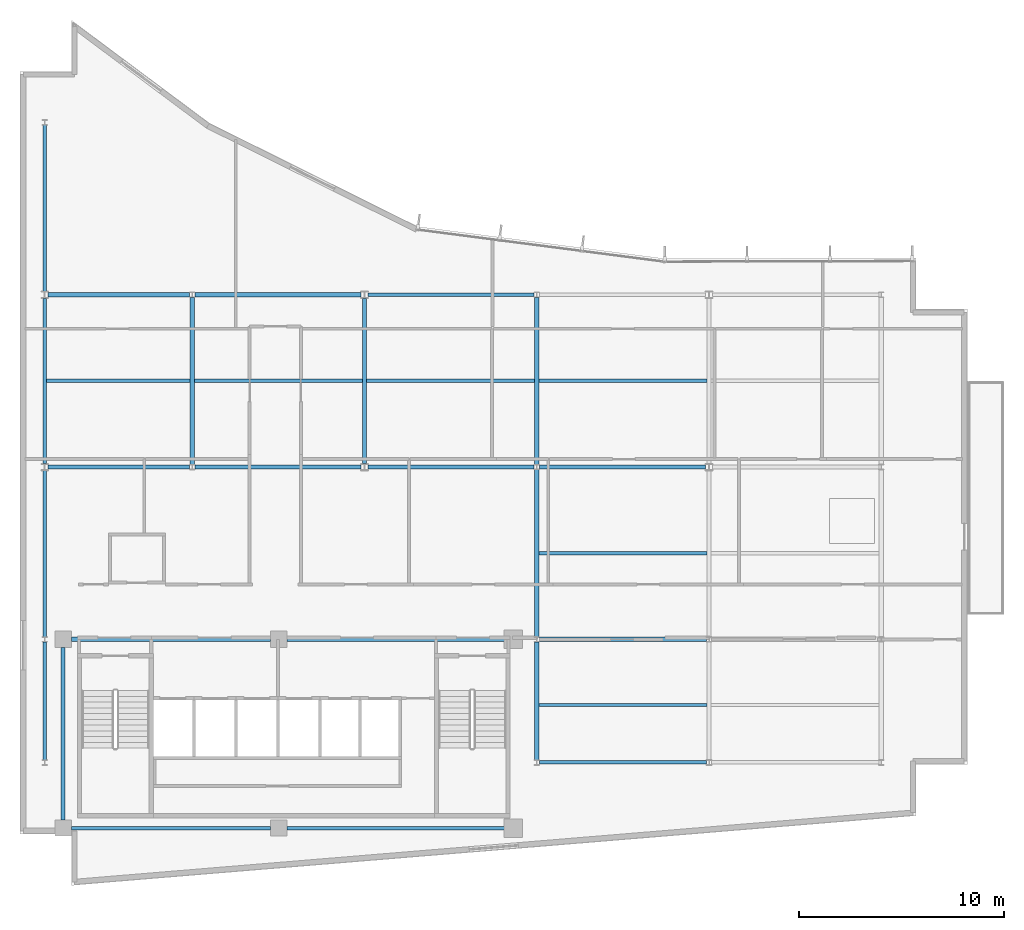
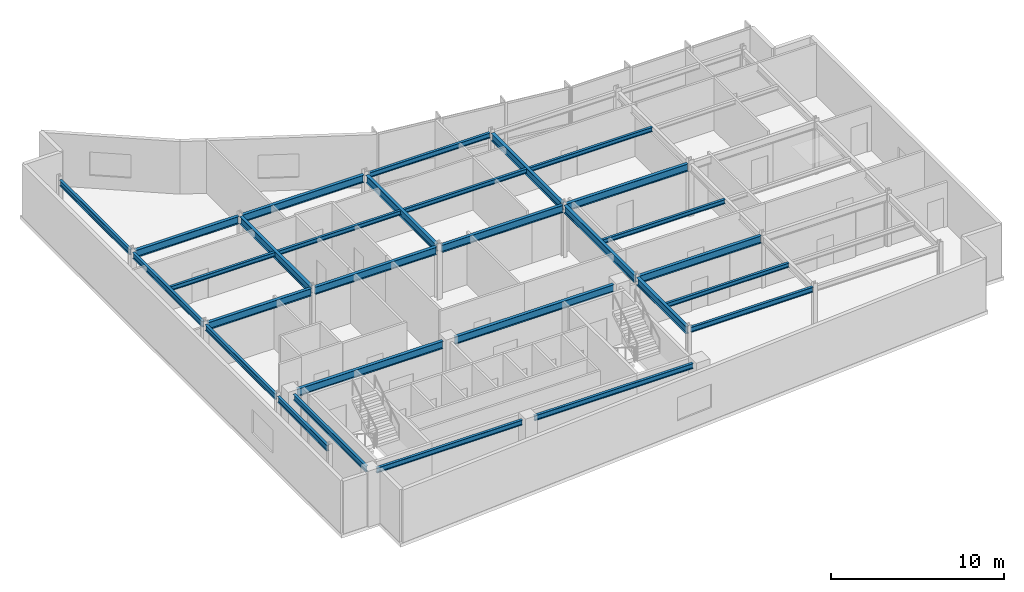
# One storey, part 5 of 15: 29 beams.
"""IFC4 building model written with IfcOpenShell, lengths in metres."""

from ifc_helpers import new_model, si_unit, direction, frame, origin, origin_2d, place, context, subcontext, project, spatial, i_section, extrude, material, material_profile, profile_set, type_object, element, save


model = new_model("IFC4")

# Units and contexts
model_context = context("Model", 3, precision=1e-05, world=origin(), true_north=direction((0.0, 1.0)))
body_context = subcontext(model_context, "Body", "Model", "MODEL_VIEW")
ifc_project = project(units=[si_unit("LENGTHUNIT", "METRE"), si_unit("AREAUNIT", "SQUARE_METRE"), si_unit("VOLUMEUNIT", "CUBIC_METRE"), si_unit("PLANEANGLEUNIT", "RADIAN"), si_unit("MASSUNIT", "GRAM", prefix="KILO")], contexts=[model_context])

# Site, building, storey
site_placement = place(None, origin())
site = spatial("IfcSite", under=ifc_project, at=site_placement, CompositionType="ELEMENT")
building_placement = place(site_placement, origin())
building = spatial("IfcBuilding", under=site, at=building_placement, Name="Varnakote Quay Hospital", CompositionType="ELEMENT")
storey_placement = place(building_placement, frame((0.0, 0.0, 248.64990234375)))
storey = spatial("IfcBuildingStorey", under=building, at=storey_placement, Name="L61", CompositionType="ELEMENT", Elevation=248.64990234375)

# Beams
ifc_material_1 = material(Name="Structural steel AS/NZS 3679.1 Grade 350 L0 (fy 340 MPa)", Category="steel")
ifc_material_profile_1 = material_profile(ifc_material_1, i_section(OverallWidth=0.208984375, OverallDepth=0.528076171875, WebThickness=0.009521484375, FlangeThickness=0.01318359375, FilletRadius=0.013916015625, at=origin_2d()), Name="530UB82.0")
ifc_profile_set_1 = profile_set([ifc_material_profile_1], Name="Structural steel AS/NZS 3679.1 Grade 350 L0 (fy 340 MPa)")
beam_type_1 = type_object("IfcBeamType", Name="BM-STL-530UB82-0", PredefinedType="BEAM", material=ifc_profile_set_1)
beam_1_placement = place(storey_placement, frame((2.5, 12.0, 3.446044921875), z_axis=(1.0, 0.0, 0.0), x_axis=(0.0, 1.0, 0.0)))
element("IfcBeam", 1, at=beam_1_placement, inside=storey, type_object=beam_type_1, Name="L61 Primary Floor Beam", PredefinedType="BEAM", context=body_context, shape_type="SweptSolid", body=[
    extrude(i_section(OverallWidth=0.208984375, OverallDepth=0.528076171875, WebThickness=0.009521484375, FlangeThickness=0.01318359375, FilletRadius=0.013916015625, at=origin_2d()), origin(), (0.0, 0.0, 1.0), 9.719970703125),
])
beam_2_placement = place(storey_placement, frame((13.02001953125, 12.0, 3.446044921875), z_axis=(1.0, 0.0, 0.0), x_axis=(0.0, 1.0, 0.0)))
element("IfcBeam", 2, at=beam_2_placement, inside=storey, type_object=beam_type_1, Name="L61 Primary Floor Beam", PredefinedType="BEAM", context=body_context, shape_type="SweptSolid", body=[
    extrude(i_section(OverallWidth=0.208984375, OverallDepth=0.528076171875, WebThickness=0.009521484375, FlangeThickness=0.01318359375, FilletRadius=0.013916015625, at=origin_2d()), origin(), (0.0, 0.0, 1.0), 10.6298828125),
])
beam_3_placement = place(storey_placement, frame((25.326904296875, 12.0, 3.446044921875), z_axis=(1.0, 0.0, 0.0), x_axis=(0.0, 1.0, 0.0)))
element("IfcBeam", 3, at=beam_3_placement, inside=storey, type_object=beam_type_1, Name="L61 Primary Floor Beam", PredefinedType="BEAM", context=body_context, shape_type="SweptSolid", body=[
    extrude(i_section(OverallWidth=0.208984375, OverallDepth=0.528076171875, WebThickness=0.009521484375, FlangeThickness=0.01318359375, FilletRadius=0.013916015625, at=origin_2d()), origin(), (0.0, 0.0, 1.0), 8.14599609375),
])
beam_4_placement = place(storey_placement, frame((1.375, 20.39990234375, 3.446044921875), z_axis=(1.0, 0.0, 0.0), x_axis=(0.0, 1.0, 0.0)))
element("IfcBeam", 4, at=beam_4_placement, inside=storey, type_object=beam_type_1, Name="L61 Primary Floor Beam", PredefinedType="BEAM", context=body_context, shape_type="SweptSolid", body=[
    extrude(i_section(OverallWidth=0.208984375, OverallDepth=0.528076171875, WebThickness=0.009521484375, FlangeThickness=0.01318359375, FilletRadius=0.013916015625, at=origin_2d()), origin(), (0.0, 0.0, 1.0), 6.89794921875),
])
for number, where, z_axis, x_axis, name in (
    (5, (8.527099609375, 20.39990234375, 3.446044921875), (1.0, 0.0, 0.0), (0.0, 1.0, 0.0), "L61 Primary Floor Beam"),
    (6, (16.97509765625, 20.39990234375, 3.446044921875), (1.0, 0.0, 0.0), (0.0, 1.0, 0.0), "L61 Primary Floor Beam"),
):
    element("IfcBeam", number, at=place(storey_placement, frame(where, z_axis=z_axis, x_axis=x_axis)), inside=storey, type_object=beam_type_1, Name=name, PredefinedType="BEAM", context=body_context, shape_type="SweptSolid", body=[
        extrude(i_section(OverallWidth=0.208984375, OverallDepth=0.528076171875, WebThickness=0.009521484375, FlangeThickness=0.01318359375, FilletRadius=0.013916015625, at=origin_2d()), origin(), (0.0, 0.0, 1.0), 8.097900390625),
    ])
beam_5_placement = place(storey_placement, frame((25.326904296875, 20.39990234375, 3.446044921875), z_axis=(1.0, 0.0, 0.0), x_axis=(0.0, 1.0, 0.0)))
element("IfcBeam", 7, at=beam_5_placement, inside=storey, type_object=beam_type_1, Name="L61 Primary Floor Beam", PredefinedType="BEAM", context=body_context, shape_type="SweptSolid", body=[
    extrude(i_section(OverallWidth=0.208984375, OverallDepth=0.528076171875, WebThickness=0.009521484375, FlangeThickness=0.01318359375, FilletRadius=0.013916015625, at=origin_2d()), origin(), (0.0, 0.0, 1.0), 8.09814453125),
])
beam_6_placement = place(storey_placement, frame((1.375, 28.800048828125, 3.446044921875), z_axis=(1.0, 0.0, 0.0), x_axis=(0.0, 1.0, 0.0)))
element("IfcBeam", 8, at=beam_6_placement, inside=storey, type_object=beam_type_1, Name="L61 Primary Floor Beam", PredefinedType="BEAM", context=body_context, shape_type="SweptSolid", body=[
    extrude(i_section(OverallWidth=0.208984375, OverallDepth=0.528076171875, WebThickness=0.009521484375, FlangeThickness=0.01318359375, FilletRadius=0.013916015625, at=origin_2d()), origin(), (0.0, 0.0, 1.0), 6.89794921875),
])
beam_7_placement = place(storey_placement, frame((8.527099609375, 28.800048828125, 3.446044921875), z_axis=(1.0, 0.0, 0.0), x_axis=(0.0, 1.0, 0.0)))
element("IfcBeam", 9, at=beam_7_placement, inside=storey, type_object=beam_type_1, Name="L61 Primary Floor Beam", PredefinedType="BEAM", context=body_context, shape_type="SweptSolid", body=[
    extrude(i_section(OverallWidth=0.208984375, OverallDepth=0.528076171875, WebThickness=0.009521484375, FlangeThickness=0.01318359375, FilletRadius=0.013916015625, at=origin_2d()), origin(), (0.0, 0.0, 1.0), 8.097900390625),
])
beam_8_placement = place(storey_placement, frame((8.39990234375, 20.527099609375, 3.446044921875), z_axis=(0.0, 1.0, 0.0), x_axis=(-1.0, 0.0, 0.0)))
element("IfcBeam", 10, at=beam_8_placement, inside=storey, type_object=beam_type_1, Name="L61 Primary Tie Beam", PredefinedType="BEAM", context=body_context, shape_type="SweptSolid", body=[
    extrude(i_section(OverallWidth=0.208984375, OverallDepth=0.528076171875, WebThickness=0.009521484375, FlangeThickness=0.01318359375, FilletRadius=0.013916015625, at=origin_2d()), origin(), (0.0, 0.0, 1.0), 8.14599609375),
])
beam_9_placement = place(storey_placement, frame((16.800048828125, 20.570068359375, 3.446044921875), z_axis=(0.0, 1.0, 0.0), x_axis=(-1.0, 0.0, 0.0)))
element("IfcBeam", 11, at=beam_9_placement, inside=storey, type_object=beam_type_1, Name="L61 Primary Tie Beam", PredefinedType="BEAM", context=body_context, shape_type="SweptSolid", body=[
    extrude(i_section(OverallWidth=0.208984375, OverallDepth=0.528076171875, WebThickness=0.009521484375, FlangeThickness=0.01318359375, FilletRadius=0.013916015625, at=origin_2d()), origin(), (0.0, 0.0, 1.0), 8.059814453125),
])
beam_10_placement = place(storey_placement, frame((25.199951171875, 6.126953125, 3.446044921875), z_axis=(0.0, 1.0, 0.0), x_axis=(-1.0, 0.0, 0.0)))
element("IfcBeam", 12, at=beam_10_placement, inside=storey, type_object=beam_type_1, Name="L61 Primary Tie Beam", PredefinedType="BEAM", context=body_context, shape_type="SweptSolid", body=[
    extrude(i_section(OverallWidth=0.208984375, OverallDepth=0.528076171875, WebThickness=0.009521484375, FlangeThickness=0.01318359375, FilletRadius=0.013916015625, at=origin_2d()), origin(), (0.0, 0.0, 1.0), 5.74609375),
])
for number, where, z_axis, x_axis, name in (
    (13, (25.199951171875, 12.126953125, 3.446044921875), (0.0, 1.0, 0.0), (-1.0, 0.0, 0.0), "L61 Primary Tie Beam"),
    (14, (25.199951171875, 20.527099609375, 3.446044921875), (0.0, 1.0, 0.0), (-1.0, 0.0, 0.0), "L61 Primary Tie Beam"),
):
    element("IfcBeam", number, at=place(storey_placement, frame(where, z_axis=z_axis, x_axis=x_axis)), inside=storey, type_object=beam_type_1, Name=name, PredefinedType="BEAM", context=body_context, shape_type="SweptSolid", body=[
        extrude(i_section(OverallWidth=0.208984375, OverallDepth=0.528076171875, WebThickness=0.009521484375, FlangeThickness=0.01318359375, FilletRadius=0.013916015625, at=origin_2d()), origin(), (0.0, 0.0, 1.0), 8.14599609375),
    ])
ifc_material_2 = material(Name="Structural steel AS/NZS 3679.1 Grade 350 L0 (fy 340 MPa)", Category="steel")
ifc_material_profile_2 = material_profile(ifc_material_2, i_section(OverallWidth=0.166015625, OverallDepth=0.306884765625, WebThickness=0.006591796875, FlangeThickness=0.01171875, FilletRadius=0.011474609375, at=origin_2d()), Name="310UB46.2")
ifc_profile_set_2 = profile_set([ifc_material_profile_2], Name="Structural steel AS/NZS 3679.1 Grade 350 L0 (fy 340 MPa)")
beam_type_2 = type_object("IfcBeamType", Name="JST-STL-310UB46-2", PredefinedType="JOIST", material=ifc_profile_set_2)
for number, where, z_axis, x_axis, name in (
    (15, (25.304443359375, 8.800048828125, 3.556640625), (1.0, 0.0, 0.0), (0.0, 1.0, 0.0), "L61 Composite Floor Joist"),
    (16, (25.304443359375, 16.199951171875, 3.556640625), (1.0, 0.0, 0.0), (0.0, 1.0, 0.0), "L61 Composite Floor Joist"),
):
    element("IfcBeam", number, at=place(storey_placement, frame(where, z_axis=z_axis, x_axis=x_axis)), inside=storey, type_object=beam_type_2, Name=name, PredefinedType="JOIST", context=body_context, shape_type="SweptSolid", body=[
        extrude(i_section(OverallWidth=0.166015625, OverallDepth=0.306884765625, WebThickness=0.006591796875, FlangeThickness=0.01171875, FilletRadius=0.011474609375, at=origin_2d()), origin(), (0.0, 0.0, 1.0), 8.191162109375),
    ])
beam_11_placement = place(storey_placement, frame((1.2890625, 24.60009765625, 3.556640625), z_axis=(1.0, 0.0, 0.0), x_axis=(0.0, 1.0, 0.0)))
element("IfcBeam", 17, at=beam_11_placement, inside=storey, type_object=beam_type_2, Name="L61 Composite Floor Joist", PredefinedType="JOIST", context=body_context, shape_type="SweptSolid", body=[
    extrude(i_section(OverallWidth=0.166015625, OverallDepth=0.306884765625, WebThickness=0.006591796875, FlangeThickness=0.01171875, FilletRadius=0.011474609375, at=origin_2d()), origin(), (0.0, 0.0, 1.0), 7.00634765625),
])
beam_12_placement = place(storey_placement, frame((8.50439453125, 24.60009765625, 3.556640625), z_axis=(1.0, 0.0, 0.0), x_axis=(0.0, 1.0, 0.0)))
element("IfcBeam", 18, at=beam_12_placement, inside=storey, type_object=beam_type_2, Name="L61 Composite Floor Joist", PredefinedType="JOIST", context=body_context, shape_type="SweptSolid", body=[
    extrude(i_section(OverallWidth=0.166015625, OverallDepth=0.306884765625, WebThickness=0.006591796875, FlangeThickness=0.01171875, FilletRadius=0.011474609375, at=origin_2d()), origin(), (0.0, 0.0, 1.0), 8.191162109375),
])
beam_13_placement = place(storey_placement, frame((16.904541015625, 24.60009765625, 3.556640625), z_axis=(1.0, 0.0, 0.0), x_axis=(0.0, 1.0, 0.0)))
element("IfcBeam", 19, at=beam_13_placement, inside=storey, type_object=beam_type_2, Name="L61 Composite Floor Joist", PredefinedType="JOIST", context=body_context, shape_type="SweptSolid", body=[
    extrude(i_section(OverallWidth=0.166015625, OverallDepth=0.306884765625, WebThickness=0.006591796875, FlangeThickness=0.01171875, FilletRadius=0.011474609375, at=origin_2d()), origin(), (0.0, 0.0, 1.0), 8.19091796875),
])
beam_14_placement = place(storey_placement, frame((25.304443359375, 24.60009765625, 3.556640625), z_axis=(1.0, 0.0, 0.0), x_axis=(0.0, 1.0, 0.0)))
element("IfcBeam", 20, at=beam_14_placement, inside=storey, type_object=beam_type_2, Name="L61 Composite Floor Joist", PredefinedType="JOIST", context=body_context, shape_type="SweptSolid", body=[
    extrude(i_section(OverallWidth=0.166015625, OverallDepth=0.306884765625, WebThickness=0.006591796875, FlangeThickness=0.01171875, FilletRadius=0.011474609375, at=origin_2d()), origin(), (0.0, 0.0, 1.0), 8.191162109375),
])
ifc_material_3 = material(Name="Structural steel AS/NZS 3679.1 Grade 350 L0 (fy 340 MPa)", Category="steel")
ifc_material_profile_3 = material_profile(ifc_material_3, i_section(OverallWidth=0.172119140625, OverallDepth=0.35888671875, WebThickness=0.008056640625, FlangeThickness=0.012939453125, FilletRadius=0.011474609375, at=origin_2d()), Name="360UB56.7")
ifc_profile_set_3 = profile_set([ifc_material_profile_3], Name="Structural steel AS/NZS 3679.1 Grade 350 L0 (fy 340 MPa)")
beam_type_3 = type_object("IfcBeamType", Name="SPN-STL-360UB56-7", PredefinedType="SPANDREL", material=ifc_profile_set_3)
beam_15_placement = place(storey_placement, frame((2.5, 2.800048828125, 3.530517578125), z_axis=(1.0, 0.0, 0.0), x_axis=(0.0, 1.0, 0.0)))
element("IfcBeam", 21, at=beam_15_placement, inside=storey, type_object=beam_type_3, Name="L61 Perimeter Spandrel Beam", PredefinedType="SPANDREL", context=body_context, shape_type="SweptSolid", body=[
    extrude(i_section(OverallWidth=0.172119140625, OverallDepth=0.35888671875, WebThickness=0.008056640625, FlangeThickness=0.012939453125, FilletRadius=0.011474609375, at=origin_2d()), origin(), (0.0, 0.0, 1.0), 9.719970703125),
])
beam_16_placement = place(storey_placement, frame((13.02001953125, 2.800048828125, 3.530517578125), z_axis=(1.0, 0.0, 0.0), x_axis=(0.0, 1.0, 0.0)))
element("IfcBeam", 22, at=beam_16_placement, inside=storey, type_object=beam_type_3, Name="L61 Perimeter Spandrel Beam", PredefinedType="SPANDREL", context=body_context, shape_type="SweptSolid", body=[
    extrude(i_section(OverallWidth=0.172119140625, OverallDepth=0.35888671875, WebThickness=0.008056640625, FlangeThickness=0.012939453125, FilletRadius=0.011474609375, at=origin_2d()), origin(), (0.0, 0.0, 1.0), 10.6298828125),
])
beam_17_placement = place(storey_placement, frame((25.326904296875, 6.0, 3.530517578125), z_axis=(1.0, 0.0, 0.0), x_axis=(0.0, 1.0, 0.0)))
element("IfcBeam", 23, at=beam_17_placement, inside=storey, type_object=beam_type_3, Name="L61 Perimeter Spandrel Beam", PredefinedType="SPANDREL", context=body_context, shape_type="SweptSolid", body=[
    extrude(i_section(OverallWidth=0.172119140625, OverallDepth=0.35888671875, WebThickness=0.008056640625, FlangeThickness=0.012939453125, FilletRadius=0.011474609375, at=origin_2d()), origin(), (0.0, 0.0, 1.0), 8.14599609375),
])
beam_18_placement = place(storey_placement, frame((16.97509765625, 28.800048828125, 3.530517578125), z_axis=(1.0, 0.0, 0.0), x_axis=(0.0, 1.0, 0.0)))
element("IfcBeam", 24, at=beam_18_placement, inside=storey, type_object=beam_type_3, Name="L61 Perimeter Spandrel Beam", PredefinedType="SPANDREL", context=body_context, shape_type="SweptSolid", body=[
    extrude(i_section(OverallWidth=0.172119140625, OverallDepth=0.35888671875, WebThickness=0.008056640625, FlangeThickness=0.012939453125, FilletRadius=0.011474609375, at=origin_2d()), origin(), (0.0, 0.0, 1.0), 8.097900390625),
])
ifc_material_4 = material(Name="Structural steel AS/NZS 3679.1 Grade 350 L0 (fy 340 MPa)", Category="steel")
ifc_material_profile_4 = material_profile(ifc_material_4, i_section(OverallWidth=0.177978515625, OverallDepth=0.403076171875, WebThickness=0.007568359375, FlangeThickness=0.010986328125, FilletRadius=0.011474609375, at=origin_2d()), Name="410UB53.7")
ifc_profile_set_4 = profile_set([ifc_material_profile_4], Name="Structural steel AS/NZS 3679.1 Grade 350 L0 (fy 340 MPa)")
beam_type_4 = type_object("IfcBeamType", Name="SPN-STL-410UB53-7", PredefinedType="SPANDREL", material=ifc_profile_set_4)
beam_19_placement = place(storey_placement, frame((1.199951171875, 6.126953125, 3.508544921875), z_axis=(0.0, 1.0, 0.0), x_axis=(-1.0, 0.0, 0.0)))
element("IfcBeam", 25, at=beam_19_placement, inside=storey, type_object=beam_type_4, Name="L61 Perimeter Spandrel Beam", PredefinedType="SPANDREL", context=body_context, shape_type="SweptSolid", body=[
    extrude(i_section(OverallWidth=0.177978515625, OverallDepth=0.403076171875, WebThickness=0.007568359375, FlangeThickness=0.010986328125, FilletRadius=0.011474609375, at=origin_2d()), origin(), (0.0, 0.0, 1.0), 5.74609375),
])
beam_20_placement = place(storey_placement, frame((1.199951171875, 12.126953125, 3.508544921875), z_axis=(0.0, 1.0, 0.0), x_axis=(-1.0, 0.0, 0.0)))
element("IfcBeam", 26, at=beam_20_placement, inside=storey, type_object=beam_type_4, Name="L61 Perimeter Spandrel Beam", PredefinedType="SPANDREL", context=body_context, shape_type="SweptSolid", body=[
    extrude(i_section(OverallWidth=0.177978515625, OverallDepth=0.403076171875, WebThickness=0.007568359375, FlangeThickness=0.010986328125, FilletRadius=0.011474609375, at=origin_2d()), origin(), (0.0, 0.0, 1.0), 8.10302734375),
])
beam_21_placement = place(storey_placement, frame((1.199951171875, 20.570068359375, 3.508544921875), z_axis=(0.0, 1.0, 0.0), x_axis=(-1.0, 0.0, 0.0)))
element("IfcBeam", 27, at=beam_21_placement, inside=storey, type_object=beam_type_4, Name="L61 Perimeter Spandrel Beam", PredefinedType="SPANDREL", context=body_context, shape_type="SweptSolid", body=[
    extrude(i_section(OverallWidth=0.177978515625, OverallDepth=0.403076171875, WebThickness=0.007568359375, FlangeThickness=0.010986328125, FilletRadius=0.011474609375, at=origin_2d()), origin(), (0.0, 0.0, 1.0), 8.059814453125),
])
beam_22_placement = place(storey_placement, frame((1.199951171875, 28.969970703125, 3.508544921875), z_axis=(0.0, 1.0, 0.0), x_axis=(-1.0, 0.0, 0.0)))
element("IfcBeam", 28, at=beam_22_placement, inside=storey, type_object=beam_type_4, Name="L61 Perimeter Spandrel Beam", PredefinedType="SPANDREL", context=body_context, shape_type="SweptSolid", body=[
    extrude(i_section(OverallWidth=0.177978515625, OverallDepth=0.403076171875, WebThickness=0.007568359375, FlangeThickness=0.010986328125, FilletRadius=0.011474609375, at=origin_2d()), origin(), (0.0, 0.0, 1.0), 8.10302734375),
])
beam_23_placement = place(storey_placement, frame((2.10009765625, 3.199951171875, 3.508544921875), z_axis=(0.0, 1.0, 0.0), x_axis=(-1.0, 0.0, 0.0)))
element("IfcBeam", 29, at=beam_23_placement, inside=storey, type_object=beam_type_4, Name="L61 Perimeter Spandrel Beam", PredefinedType="SPANDREL", context=body_context, shape_type="SweptSolid", body=[
    extrude(i_section(OverallWidth=0.177978515625, OverallDepth=0.403076171875, WebThickness=0.007568359375, FlangeThickness=0.010986328125, FilletRadius=0.011474609375, at=origin_2d()), origin(), (0.0, 0.0, 1.0), 8.400146484375),
])

save(model, "model.ifc")
